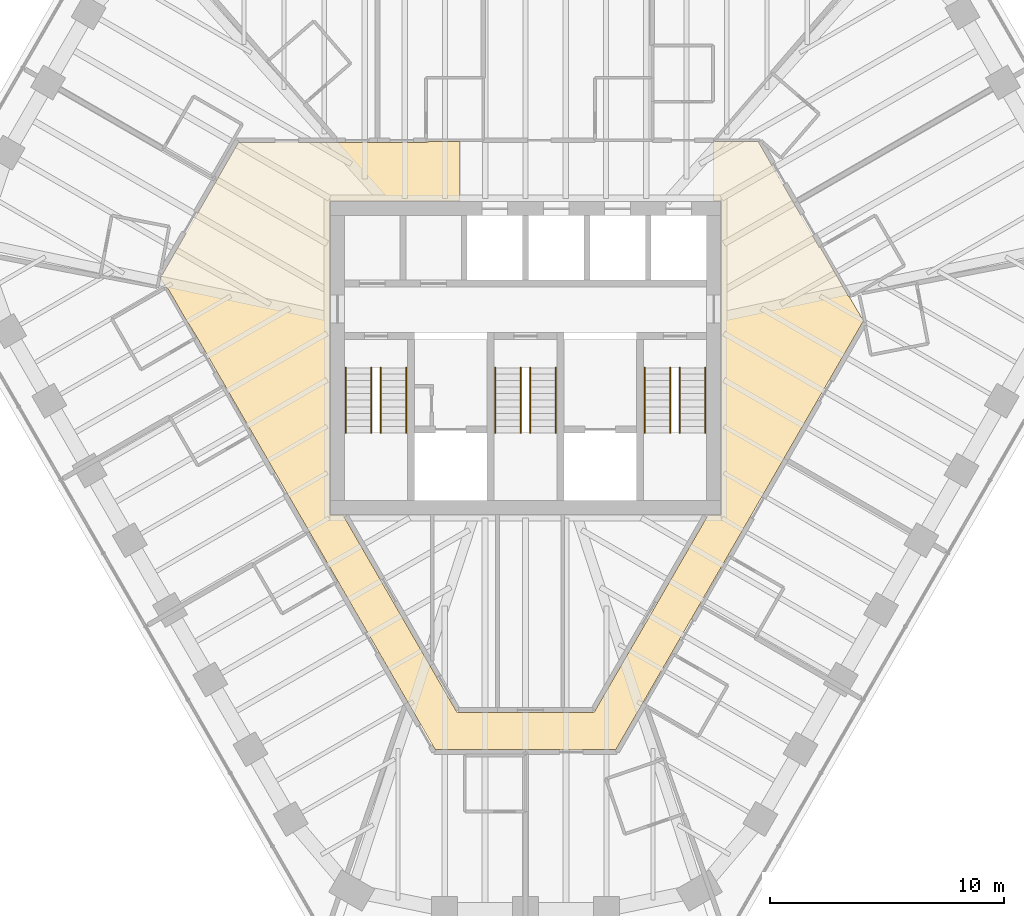
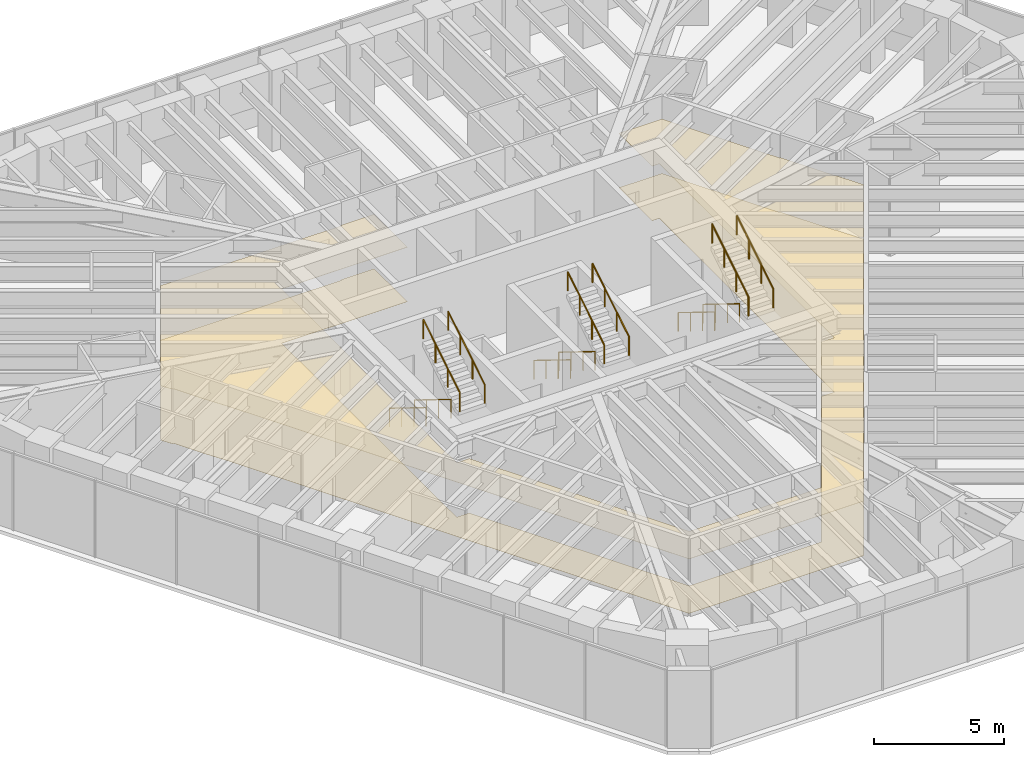
# One storey, part 14 of 14: 12 railings, 2 coverings.
"""IFC4 building model written with IfcOpenShell, lengths in metres."""

from ifc_helpers import new_model, si_unit, direction, frame, origin, origin_2d, place, context, subcontext, project, spatial, polyline, circle, outline, extrude, material, layer, layer_set, type_object, element, save


model = new_model("IFC4")

# Units and contexts
model_context = context("Model", 3, precision=1e-05, world=origin(), true_north=direction((0.0, 1.0)))
body_context = subcontext(model_context, "Body", "Model", "MODEL_VIEW")
ifc_project = project(units=[si_unit("LENGTHUNIT", "METRE"), si_unit("AREAUNIT", "SQUARE_METRE"), si_unit("VOLUMEUNIT", "CUBIC_METRE"), si_unit("PLANEANGLEUNIT", "RADIAN"), si_unit("MASSUNIT", "GRAM", prefix="KILO")], contexts=[model_context])

# Site, building, storey
site_placement = place(None, origin())
site = spatial("IfcSite", under=ifc_project, at=site_placement, CompositionType="ELEMENT")
building_placement = place(site_placement, origin())
building = spatial("IfcBuilding", under=site, at=building_placement, Name="Sandreach Pilgrim Tower", CompositionType="ELEMENT")
storey_placement = place(building_placement, frame((0.0, 0.0, 279.800048828125)))
storey = spatial("IfcBuildingStorey", under=building, at=storey_placement, Name="L70", CompositionType="ELEMENT", Elevation=279.800048828125)

# Coverings
ifc_material_1 = material(Name="Nylon carpet tile on the slab", Category="textile")
ifc_layer_1 = layer(ifc_material_1, 0.008056640625)
ifc_layer_set_1 = layer_set([ifc_layer_1], Name="Carpet tile")
covering_type_1 = type_object("IfcCoveringType", Name="Carpet tile", PredefinedType="FLOORING", material=ifc_layer_set_1)
covering_1_placement = place(storey_placement, origin())
element("IfcCovering", 1, at=covering_1_placement, inside=storey, type_object=covering_type_1, Name="Floor finish 70C Corridor 70", PredefinedType="FLOORING", context=body_context, shape_type="SweptSolid", body=[
    extrude(outline(polyline([(-15.610107421875, 3.4716796875), (-12.292236328125, 9.22998046875), (-4.260009765625, 9.22998046875), (-4.260009765625, 9.263916015625), (-2.800048828125, 9.27001953125), (-2.800048828125, 6.719970703125), (-8.3701171875, 6.719970703125), (-8.3701171875, -6.719970703125), (-7.812744140625, -6.719970703125), (-2.937744140625, -15.159912109375), (2.937744140625, -15.159912109375), (7.812744140625, -6.719970703125), (8.3701171875, -6.719970703125), (8.3701171875, 6.719970703125), (8.050048828125, 6.719970703125), (8.050048828125, 9.27001953125), (9.95751953125, 9.27001953125), (12.576416015625, 4.74169921875), (12.607421875, 4.759521484375), (13.827880859375, 2.64013671875), (13.84619140625, 2.650634765625), (14.464111328125, 1.5986328125), (3.8623046875, -16.760009765625), (-3.8623046875, -16.760009765625), (-14.0634765625, 0.89990234375), (-14.656982421875, 1.854736328125), (-15.307861328125, 2.98974609375), (-15.348388671875, 2.966796875), (-15.356201171875, 2.979248046875), (-15.34814453125, 3.018798828125), (-15.385498046875, 3.0263671875), (-15.62255859375, 3.407470703125), (-15.610107421875, 3.4716796875)])), origin(), (0.0, 0.0, 1.0), 0.008056640625),
])
ifc_material_2 = material(Name="Gypsum board suspended ceiling on a steel grid", Category="steel")
ifc_layer_2 = layer(ifc_material_2, 0.012939453125)
ifc_layer_set_2 = layer_set([ifc_layer_2], Name="Gypsum board suspended ceiling")
covering_type_2 = type_object("IfcCoveringType", Name="Gypsum board suspended ceiling", PredefinedType="CEILING", material=ifc_layer_set_2)
covering_2_placement = place(storey_placement, frame((0.0, 0.0, 2.550048828125)))
element("IfcCovering", 2, at=covering_2_placement, inside=storey, type_object=covering_type_2, Name="Ceiling 70C Corridor 70", PredefinedType="CEILING", context=body_context, shape_type="SweptSolid", body=[
    extrude(outline(polyline([(-15.610107421875, 3.4716796875), (-12.292236328125, 9.22998046875), (-4.260009765625, 9.22998046875), (-4.260009765625, 9.263916015625), (-2.800048828125, 9.27001953125), (-2.800048828125, 6.719970703125), (-8.3701171875, 6.719970703125), (-8.3701171875, -6.719970703125), (-7.812744140625, -6.719970703125), (-2.937744140625, -15.159912109375), (2.937744140625, -15.159912109375), (7.812744140625, -6.719970703125), (8.3701171875, -6.719970703125), (8.3701171875, 6.719970703125), (8.050048828125, 6.719970703125), (8.050048828125, 9.27001953125), (9.95751953125, 9.27001953125), (12.576416015625, 4.74169921875), (12.607421875, 4.759521484375), (13.827880859375, 2.64013671875), (13.84619140625, 2.650634765625), (14.464111328125, 1.5986328125), (3.8623046875, -16.760009765625), (-3.8623046875, -16.760009765625), (-14.0634765625, 0.89990234375), (-14.656982421875, 1.854736328125), (-15.307861328125, 2.98974609375), (-15.348388671875, 2.966796875), (-15.356201171875, 2.979248046875), (-15.34814453125, 3.018798828125), (-15.385498046875, 3.0263671875), (-15.62255859375, 3.407470703125), (-15.610107421875, 3.4716796875)])), origin(), (0.0, 0.0, 1.0), 0.012939453125),
])

# Railings
ifc_material_3 = material(Name="Stainless steel tube", Category="steel")
railing_type = type_object("IfcRailingType", Name="Stair handrail", PredefinedType="HANDRAIL", material=ifc_material_3)
for number, where, name in (
    (3, (-6.60009765625, -0.39990234375, 0.172607421875), "Handrail ST1 L70 flight 1"),
    (4, (-7.699951171875, -0.39990234375, 0.172607421875), "Handrail ST1 L70 flight 1"),
):
    element("IfcRailing", number, at=place(storey_placement, frame(where)), inside=storey, type_object=railing_type, Name=name, PredefinedType="HANDRAIL", context=body_context, shape_type="SweptSolid", body=[
        extrude(circle(Radius=0.02392578125, at=origin_2d()), frame((0.0, 0.0, 0.8759765625), z_axis=(0.0, -0.851089632645, 0.525020415988), x_axis=(1.0, 0.0, 0.0)), (0.0, 0.0, 1.0), 3.2900390625),
        extrude(circle(Radius=0.02099609375, at=origin_2d()), origin(), (0.0, 0.0, 1.0), 0.851806640625),
        extrude(circle(Radius=0.02099609375, at=origin_2d()), frame((0.0, -0.933349609375, 0.57568359375)), (0.0, 0.0, 1.0), 0.851806640625),
        extrude(circle(Radius=0.02099609375, at=origin_2d()), frame((0.0, -1.86669921875, 1.151611328125)), (0.0, 0.0, 1.0), 0.851806640625),
        extrude(circle(Radius=0.02099609375, at=origin_2d()), frame((0.0, -2.800048828125, 1.727294921875)), (0.0, 0.0, 1.0), 0.851806640625),
    ])
for number, where, name in (
    (5, (-6.199951171875, -3.199951171875, 2.07275390625), "Handrail ST1 L70 flight 2"),
    (6, (-5.10009765625, -3.199951171875, 2.07275390625), "Handrail ST1 L70 flight 2"),
):
    element("IfcRailing", number, at=place(storey_placement, frame(where)), inside=storey, type_object=railing_type, Name=name, PredefinedType="HANDRAIL", context=body_context, shape_type="SweptSolid", body=[
        extrude(circle(Radius=0.02392578125, at=origin_2d()), frame((0.0, 0.0, 0.8759765625), z_axis=(0.0, 0.851089632645, 0.525020415988), x_axis=(-1.0, 0.0, 0.0)), (0.0, 0.0, 1.0), 3.2900390625),
        extrude(circle(Radius=0.02099609375, at=origin_2d()), origin(), (0.0, 0.0, 1.0), 0.851806640625),
        extrude(circle(Radius=0.02099609375, at=origin_2d()), frame((0.0, 0.933349609375, 0.57568359375)), (0.0, 0.0, 1.0), 0.851806640625),
        extrude(circle(Radius=0.02099609375, at=origin_2d()), frame((0.0, 1.86669921875, 1.151611328125)), (0.0, 0.0, 1.0), 0.851806640625),
        extrude(circle(Radius=0.02099609375, at=origin_2d()), frame((0.0, 2.800048828125, 1.727294921875)), (0.0, 0.0, 1.0), 0.851806640625),
    ])
for number, where, name in (
    (7, (-0.199951171875, -0.39990234375, 0.172607421875), "Handrail ST3 L70 flight 1"),
    (8, (-1.300048828125, -0.39990234375, 0.172607421875), "Handrail ST3 L70 flight 1"),
):
    element("IfcRailing", number, at=place(storey_placement, frame(where)), inside=storey, type_object=railing_type, Name=name, PredefinedType="HANDRAIL", context=body_context, shape_type="SweptSolid", body=[
        extrude(circle(Radius=0.02392578125, at=origin_2d()), frame((0.0, 0.0, 0.8759765625), z_axis=(0.0, -0.851089632645, 0.525020415988), x_axis=(1.0, 0.0, 0.0)), (0.0, 0.0, 1.0), 3.2900390625),
        extrude(circle(Radius=0.02099609375, at=origin_2d()), origin(), (0.0, 0.0, 1.0), 0.851806640625),
        extrude(circle(Radius=0.02099609375, at=origin_2d()), frame((0.0, -0.933349609375, 0.57568359375)), (0.0, 0.0, 1.0), 0.851806640625),
        extrude(circle(Radius=0.02099609375, at=origin_2d()), frame((0.0, -1.86669921875, 1.151611328125)), (0.0, 0.0, 1.0), 0.851806640625),
        extrude(circle(Radius=0.02099609375, at=origin_2d()), frame((0.0, -2.800048828125, 1.727294921875)), (0.0, 0.0, 1.0), 0.851806640625),
    ])
for number, where, name in (
    (9, (0.199951171875, -3.199951171875, 2.07275390625), "Handrail ST3 L70 flight 2"),
    (10, (1.300048828125, -3.199951171875, 2.07275390625), "Handrail ST3 L70 flight 2"),
):
    element("IfcRailing", number, at=place(storey_placement, frame(where)), inside=storey, type_object=railing_type, Name=name, PredefinedType="HANDRAIL", context=body_context, shape_type="SweptSolid", body=[
        extrude(circle(Radius=0.02392578125, at=origin_2d()), frame((0.0, 0.0, 0.8759765625), z_axis=(0.0, 0.851089632645, 0.525020415988), x_axis=(-1.0, 0.0, 0.0)), (0.0, 0.0, 1.0), 3.2900390625),
        extrude(circle(Radius=0.02099609375, at=origin_2d()), origin(), (0.0, 0.0, 1.0), 0.851806640625),
        extrude(circle(Radius=0.02099609375, at=origin_2d()), frame((0.0, 0.933349609375, 0.57568359375)), (0.0, 0.0, 1.0), 0.851806640625),
        extrude(circle(Radius=0.02099609375, at=origin_2d()), frame((0.0, 1.86669921875, 1.151611328125)), (0.0, 0.0, 1.0), 0.851806640625),
        extrude(circle(Radius=0.02099609375, at=origin_2d()), frame((0.0, 2.800048828125, 1.727294921875)), (0.0, 0.0, 1.0), 0.851806640625),
    ])
for number, where, name in (
    (11, (6.199951171875, -0.39990234375, 0.172607421875), "Handrail ST2 L70 flight 1"),
    (12, (5.10009765625, -0.39990234375, 0.172607421875), "Handrail ST2 L70 flight 1"),
):
    element("IfcRailing", number, at=place(storey_placement, frame(where)), inside=storey, type_object=railing_type, Name=name, PredefinedType="HANDRAIL", context=body_context, shape_type="SweptSolid", body=[
        extrude(circle(Radius=0.02392578125, at=origin_2d()), frame((0.0, 0.0, 0.8759765625), z_axis=(0.0, -0.851089632645, 0.525020415988), x_axis=(1.0, 0.0, 0.0)), (0.0, 0.0, 1.0), 3.2900390625),
        extrude(circle(Radius=0.02099609375, at=origin_2d()), origin(), (0.0, 0.0, 1.0), 0.851806640625),
        extrude(circle(Radius=0.02099609375, at=origin_2d()), frame((0.0, -0.933349609375, 0.57568359375)), (0.0, 0.0, 1.0), 0.851806640625),
        extrude(circle(Radius=0.02099609375, at=origin_2d()), frame((0.0, -1.86669921875, 1.151611328125)), (0.0, 0.0, 1.0), 0.851806640625),
        extrude(circle(Radius=0.02099609375, at=origin_2d()), frame((0.0, -2.800048828125, 1.727294921875)), (0.0, 0.0, 1.0), 0.851806640625),
    ])
for number, where, name in (
    (13, (6.60009765625, -3.199951171875, 2.07275390625), "Handrail ST2 L70 flight 2"),
    (14, (7.699951171875, -3.199951171875, 2.07275390625), "Handrail ST2 L70 flight 2"),
):
    element("IfcRailing", number, at=place(storey_placement, frame(where)), inside=storey, type_object=railing_type, Name=name, PredefinedType="HANDRAIL", context=body_context, shape_type="SweptSolid", body=[
        extrude(circle(Radius=0.02392578125, at=origin_2d()), frame((0.0, 0.0, 0.8759765625), z_axis=(0.0, 0.851089632645, 0.525020415988), x_axis=(-1.0, 0.0, 0.0)), (0.0, 0.0, 1.0), 3.2900390625),
        extrude(circle(Radius=0.02099609375, at=origin_2d()), origin(), (0.0, 0.0, 1.0), 0.851806640625),
        extrude(circle(Radius=0.02099609375, at=origin_2d()), frame((0.0, 0.933349609375, 0.57568359375)), (0.0, 0.0, 1.0), 0.851806640625),
        extrude(circle(Radius=0.02099609375, at=origin_2d()), frame((0.0, 1.86669921875, 1.151611328125)), (0.0, 0.0, 1.0), 0.851806640625),
        extrude(circle(Radius=0.02099609375, at=origin_2d()), frame((0.0, 2.800048828125, 1.727294921875)), (0.0, 0.0, 1.0), 0.851806640625),
    ])

save(model, "model.ifc")
